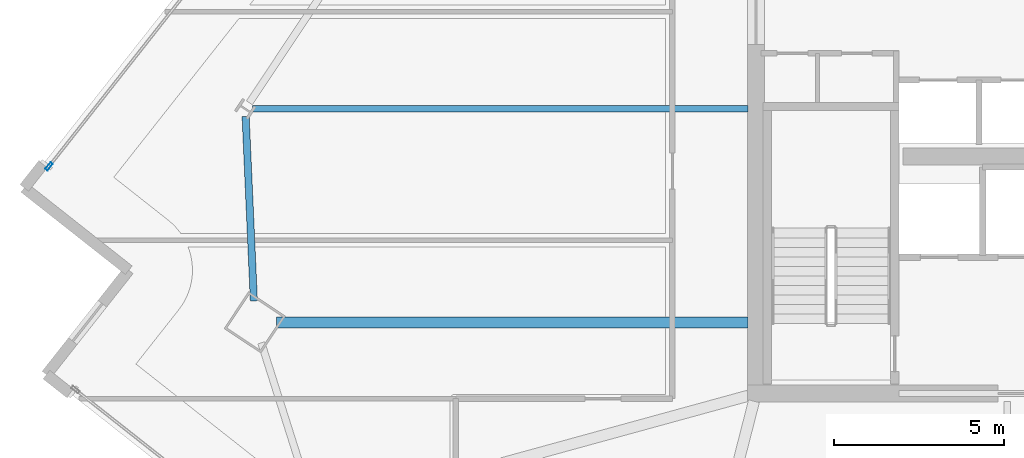
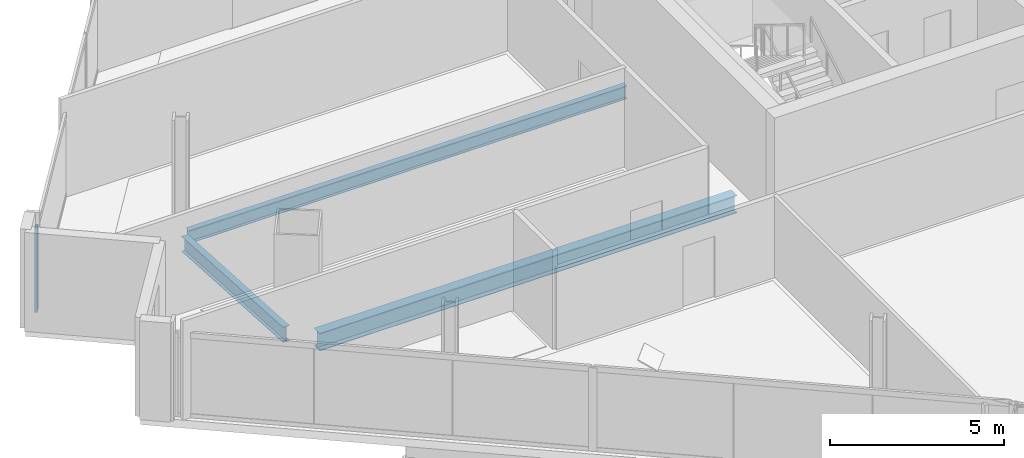
# One storey, part 6 of 28: 3 beams, 1 member, 1 element without a shape of its own.
"""IFC4 building model written with IfcOpenShell, lengths in metres."""

from ifc_helpers import new_model, si_unit, direction, frame, origin, origin_2d, place, context, subcontext, project, spatial, hollow_rectangle, i_section, extrude, material, material_profile, profile_set, type_object, element, aggregate, save


model = new_model("IFC4")

# Units and contexts
model_context = context("Model", 3, precision=1e-05, world=origin(), true_north=direction((0.0, 1.0)))
body_context = subcontext(model_context, "Body", "Model", "MODEL_VIEW")
ifc_project = project(units=[si_unit("LENGTHUNIT", "METRE"), si_unit("AREAUNIT", "SQUARE_METRE"), si_unit("VOLUMEUNIT", "CUBIC_METRE"), si_unit("PLANEANGLEUNIT", "RADIAN"), si_unit("MASSUNIT", "GRAM", prefix="KILO")], contexts=[model_context])

# Site, building, storey
site_placement = place(None, origin())
site = spatial("IfcSite", under=ifc_project, at=site_placement, CompositionType="ELEMENT")
building_placement = place(site_placement, origin())
building = spatial("IfcBuilding", under=site, at=building_placement, Name="Haldenkirk Collegiate Tower", CompositionType="ELEMENT")
storey_placement = place(building_placement, frame((0.0, 0.0, 202.199951171875)))
storey = spatial("IfcBuildingStorey", under=building, at=storey_placement, Name="L50", CompositionType="ELEMENT", Elevation=202.199951171875)

# Beams
ifc_material_1 = material(Name="Steel ASTM A992 Grade 50", Category="steel")
ifc_material_profile_1 = material_profile(ifc_material_1, i_section(OverallWidth=0.324951171875, OverallDepth=0.615966796875, WebThickness=0.013916015625, FlangeThickness=0.021484375, at=origin_2d()), Name="W24X117")
ifc_profile_set_1 = profile_set([ifc_material_profile_1], Name="Steel ASTM A992 Grade 50")
beam_type_1 = type_object("IfcBeamType", Name="BM-GIRDER-W24X117", PredefinedType="BEAM", material=ifc_profile_set_1)
beam_1_placement = place(storey_placement, frame((12.9345703125, 20.089599609375, -0.587890625), z_axis=(1.0, 0.0, 0.0), x_axis=(0.0, 1.0, 0.0)))
element("IfcBeam", 1, at=beam_1_placement, inside=storey, type_object=beam_type_1, Name="L50 primary floor girder 04", PredefinedType="BEAM", context=body_context, shape_type="SweptSolid", body=[
    extrude(i_section(OverallWidth=0.324951171875, OverallDepth=0.615966796875, WebThickness=0.013916015625, FlangeThickness=0.021484375, at=origin_2d()), origin(), (0.0, 0.0, 1.0), 13.83544921875),
])
ifc_material_profile_2 = material_profile(ifc_material_1, i_section(OverallWidth=0.18994140625, OverallDepth=0.45703125, WebThickness=0.009033203125, FlangeThickness=0.014404296875, at=origin_2d()), Name="W18X50")
ifc_profile_set_2 = profile_set([ifc_material_profile_2], Name="Steel ASTM A992 Grade 50")
beam_type_2 = type_object("IfcBeamType", Name="BM-JOIST-W18X50", PredefinedType="JOIST", material=ifc_profile_set_2)
beam_2_placement = place(storey_placement, frame((12.2421875, 26.34716796875, -0.508544921875), z_axis=(1.0, 0.0, 0.0), x_axis=(0.0, 1.0, 0.0)))
element("IfcBeam", 2, at=beam_2_placement, inside=storey, type_object=beam_type_2, Name="L50 composite floor joist 13", PredefinedType="JOIST", context=body_context, shape_type="SweptSolid", body=[
    extrude(i_section(OverallWidth=0.18994140625, OverallDepth=0.45703125, WebThickness=0.009033203125, FlangeThickness=0.014404296875, at=origin_2d()), origin(), (0.0, 0.0, 1.0), 14.52783203125),
])
ifc_material_profile_3 = material_profile(ifc_material_1, i_section(OverallWidth=0.2099609375, OverallDepth=0.537109375, WebThickness=0.010986328125, FlangeThickness=0.017333984375, at=origin_2d()), Name="W21X68")
ifc_profile_set_3 = profile_set([ifc_material_profile_3], Name="Steel ASTM A992 Grade 50")
beam_type_3 = type_object("IfcBeamType", Name="BM-SPANDREL-W21X68", PredefinedType="SPANDREL", material=ifc_profile_set_3)
beam_3_placement = place(storey_placement, frame((12.034912109375, 26.13037109375, -0.54833984375), z_axis=(0.044620526426, -0.999004008311, 0.0), x_axis=(0.999004008311, 0.044620526426, 0.0)))
element("IfcBeam", 3, at=beam_3_placement, inside=storey, type_object=beam_type_3, Name="L50 perimeter spandrel beam 12", PredefinedType="SPANDREL", context=body_context, shape_type="SweptSolid", body=[
    extrude(i_section(OverallWidth=0.2099609375, OverallDepth=0.537109375, WebThickness=0.010986328125, FlangeThickness=0.017333984375, at=origin_2d()), origin(), (0.0, 0.0, 1.0), 5.416748046875),
])

# Curtain wall, member
ifc_material_2 = material(Name="Anodised architectural bronze aluminium", Category="aluminium")
curtain_wall_type = type_object("IfcCurtainWallType", Name="CW-SYS1B-CONVEX-HI", PredefinedType="USERDEFINED", material=ifc_material_2)
curtain_wall_placement = place(storey_placement, origin())
curtain_wall = element("IfcCurtainWall", 4, at=curtain_wall_placement, inside=storey, type_object=curtain_wall_type, Name="L50 Upper tower high-wind convex bronze unitised curtain wall", ObjectType="UNITISED CURTAIN WALL", PredefinedType="USERDEFINED")
ifc_material_profile_4 = material_profile(ifc_material_2, hollow_rectangle(XDim=0.0849609375, YDim=0.25, WallThickness=0.0048828125, at=origin_2d()), Name="CW-MUL-1B")
ifc_profile_set_4 = profile_set([ifc_material_profile_4], Name="Anodised architectural bronze aluminium")
member_type = type_object("IfcMemberType", Name="CW-MUL-1B", PredefinedType="MULLION", material=ifc_profile_set_4)
member_placement = place(storey_placement, frame((6.268798828125, 24.661865234375, 0.0), z_axis=(0.0, 0.0, 1.0), x_axis=(-0.785317136364, 0.619093688656, 0.0)))
member = element("IfcMember", 5, at=member_placement, type_object=member_type, Name="CW-1B mullion 1", PredefinedType="MULLION", context=body_context, shape_type="SweptSolid", body=[
    extrude(hollow_rectangle(XDim=0.0849609375, YDim=0.25, WallThickness=0.0048828125, at=origin_2d()), origin(), (0.0, 0.0, 1.0), 2.927978515625),
])
aggregate(curtain_wall, [member])

save(model, "model.ifc")
